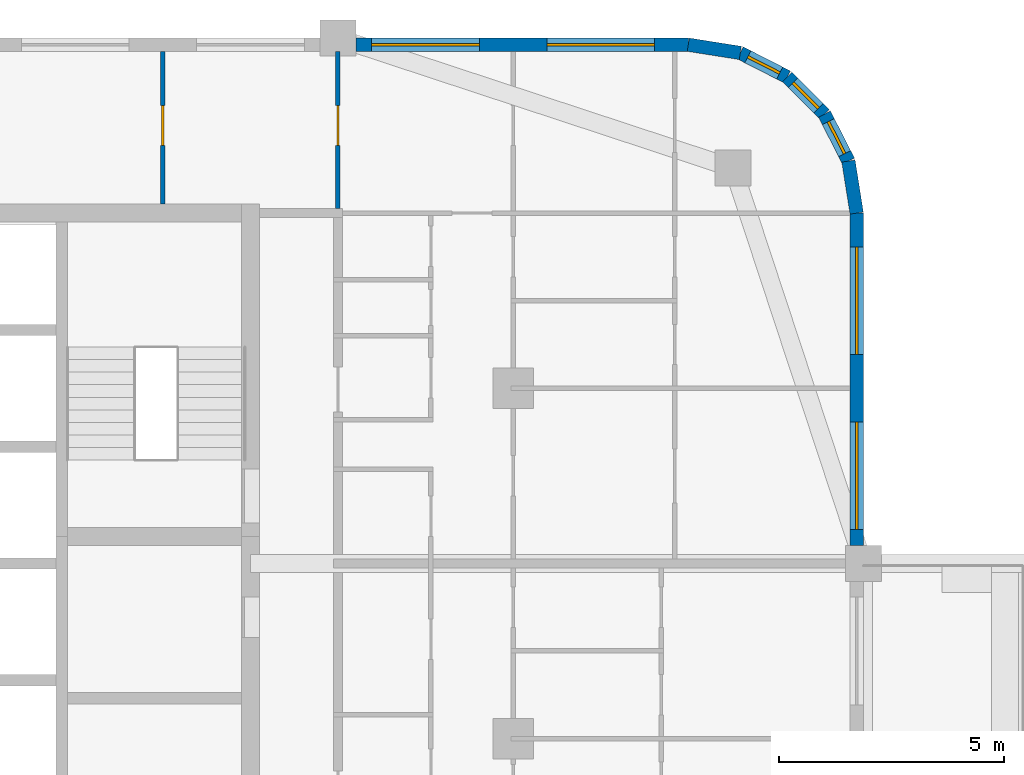
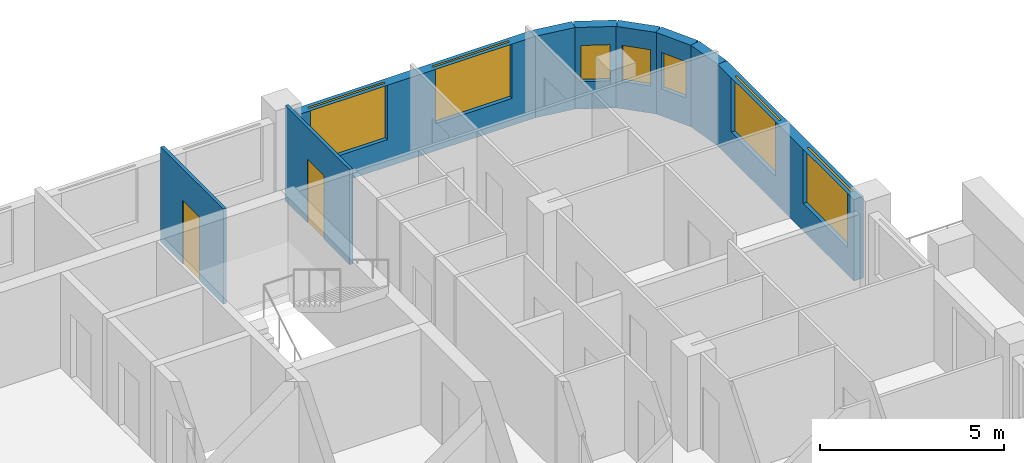
# One storey, part 12 of 16: 9 walls, 7 windows, 2 doors, 9 openings.
"""IFC4 building model written with IfcOpenShell, lengths in metres."""

from ifc_helpers import new_model, si_unit, direction, frame, frame_2d, origin, place, context, subcontext, project, spatial, rectangle, extrude, material, layer, layer_set, type_object, element, fill, save


model = new_model("IFC4")

# Units and contexts
model_context = context("Model", 3, precision=1e-05, world=origin(), true_north=direction((0.0, 1.0)))
body_context = subcontext(model_context, "Body", "Model", "MODEL_VIEW")
ifc_project = project(units=[si_unit("LENGTHUNIT", "METRE"), si_unit("AREAUNIT", "SQUARE_METRE"), si_unit("VOLUMEUNIT", "CUBIC_METRE"), si_unit("PLANEANGLEUNIT", "RADIAN"), si_unit("MASSUNIT", "GRAM", prefix="KILO")], contexts=[model_context])

# Site, building, storey
site_placement = place(None, origin())
site = spatial("IfcSite", under=ifc_project, at=site_placement, CompositionType="ELEMENT")
building_placement = place(site_placement, origin())
building = spatial("IfcBuilding", under=site, at=building_placement, Name="Ludao Terraces", CompositionType="ELEMENT")
storey_placement = place(building_placement, frame((0.0, 0.0, 217.699951171875)))
storey = spatial("IfcBuildingStorey", under=building, at=storey_placement, Name="L59", CompositionType="ELEMENT", Elevation=217.699951171875)

# Wall, openings, windows
ifc_material_1 = material(Name="Granite cladding", Category="masonry")
ifc_layer_1 = layer(ifc_material_1, 0.0400390625, Category="stone")
ifc_material_2 = material(Name="Mineral wool")
ifc_layer_2 = layer(ifc_material_2, 0.06005859375)
ifc_material_3 = material(Name="Concrete C40", Category="concrete")
ifc_layer_3 = layer(ifc_material_3, 0.199951171875, Category="concrete")
ifc_layer_set_1 = layer_set([ifc_layer_1, ifc_layer_2, ifc_layer_3], Name="ENV Stone-clad wall 300")
wall_type_1 = type_object("IfcWallType", Name="ENV Stone-clad wall 300", PredefinedType="SOLIDWALL", material=ifc_layer_set_1)
wall_1_placement = place(storey_placement, frame((108.25, 77.10009765625, 0.0), z_axis=(0.0, 0.0, 1.0), x_axis=(0.0, 1.0, 0.0)))
wall_1 = element("IfcWall", 1, at=wall_1_placement, inside=storey, type_object=wall_type_1, Name="EW-L59-E5", PredefinedType="SOLIDWALL", context=body_context, shape_type="SweptSolid", body=[
    extrude(rectangle(XDim=7.39990234375, YDim=0.300048828125, at=frame_2d((3.699951171875, 0.0))), origin(), (0.0, 0.0, 1.0), 2.699951171875),
])
opening_1_placement = place(wall_1_placement, frame((0.35009765625, 0.0, 0.89990234375)))
opening_1 = element("IfcOpeningElement", 2, at=opening_1_placement, cuts=wall_1, Name="Opening W1", PredefinedType="OPENING", context=body_context, shape_type="SweptSolid", body=[
    extrude(rectangle(XDim=2.39990234375, YDim=1.800048828125, at=frame_2d((1.199951171875, 0.89990234375))), frame((0.0, 0.16015625, 0.0), z_axis=(0.0, -1.0, 0.0), x_axis=(1.0, 0.0, 0.0)), (0.0, 0.0, 1.0), 0.320068359375),
])
opening_2_placement = place(wall_1_placement, frame((4.25, 0.0, 0.89990234375)))
opening_2 = element("IfcOpeningElement", 3, at=opening_2_placement, cuts=wall_1, Name="Opening W1", PredefinedType="OPENING", context=body_context, shape_type="SweptSolid", body=[
    extrude(rectangle(XDim=2.39990234375, YDim=1.800048828125, at=frame_2d((1.199951171875, 0.89990234375))), frame((0.0, 0.16015625, 0.0), z_axis=(0.0, -1.0, 0.0), x_axis=(1.0, 0.0, 0.0)), (0.0, 0.0, 1.0), 0.320068359375),
])
ifc_material_4 = material(Name="Clear glass in aluminium frame", Category="aluminium")
ifc_layer_4 = layer(ifc_material_4, 0.06005859375)
ifc_layer_set_2 = layer_set([ifc_layer_4], Name="ENV Window W1 2400x1800")
window_type_1 = type_object("IfcWindowType", Name="ENV Window W1 2400x1800", PartitioningType="DOUBLE_PANEL_VERTICAL", PredefinedType="WINDOW", material=ifc_layer_set_2)
window_1_placement = place(opening_1_placement, origin())
window_1 = element("IfcWindow", 4, at=window_1_placement, inside=storey, type_object=window_type_1, Name="W-L59-E5-1", OverallHeight=1.800048828125, OverallWidth=2.39990234375, PartitioningType="DOUBLE_PANEL_VERTICAL", PredefinedType="WINDOW", context=body_context, shape_type="SweptSolid", body=[
    extrude(rectangle(XDim=2.39990234375, YDim=1.800048828125, at=frame_2d((1.199951171875, 0.89990234375))), frame((0.0, 0.030029296875, 0.0), z_axis=(0.0, -1.0, 0.0), x_axis=(1.0, 0.0, 0.0)), (0.0, 0.0, 1.0), 0.06005859375),
])
fill(opening_1, window_1)
window_2_placement = place(opening_2_placement, origin())
window_2 = element("IfcWindow", 5, at=window_2_placement, inside=storey, type_object=window_type_1, Name="W-L59-E5-2", OverallHeight=1.800048828125, OverallWidth=2.39990234375, PartitioningType="DOUBLE_PANEL_VERTICAL", PredefinedType="WINDOW", context=body_context, shape_type="SweptSolid", body=[
    extrude(rectangle(XDim=2.39990234375, YDim=1.800048828125, at=frame_2d((1.199951171875, 0.89990234375))), frame((0.0, 0.030029296875, 0.0), z_axis=(0.0, -1.0, 0.0), x_axis=(1.0, 0.0, 0.0)), (0.0, 0.0, 1.0), 0.06005859375),
])
fill(opening_2, window_2)

wall_2_placement = place(storey_placement, frame((97.10009765625, 88.25, 0.0), z_axis=(0.0, 0.0, 1.0), x_axis=(1.0, 0.0, 0.0)))
wall_2 = element("IfcWall", 6, at=wall_2_placement, inside=storey, type_object=wall_type_1, Name="EW-L59-N3", PredefinedType="SOLIDWALL", context=body_context, shape_type="SweptSolid", body=[
    extrude(rectangle(XDim=7.39990234375, YDim=0.300048828125, at=frame_2d((3.699951171875, 0.0))), origin(), (0.0, 0.0, 1.0), 2.699951171875),
])
opening_3_placement = place(wall_2_placement, frame((0.35009765625, 0.0, 0.89990234375)))
opening_3 = element("IfcOpeningElement", 7, at=opening_3_placement, cuts=wall_2, Name="Opening W1", PredefinedType="OPENING", context=body_context, shape_type="SweptSolid", body=[
    extrude(rectangle(XDim=2.39990234375, YDim=1.800048828125, at=frame_2d((1.199951171875, 0.89990234375))), frame((0.0, 0.16015625, 0.0), z_axis=(0.0, -1.0, 0.0), x_axis=(1.0, 0.0, 0.0)), (0.0, 0.0, 1.0), 0.320068359375),
])
opening_4_placement = place(wall_2_placement, frame((4.25, 0.0, 0.89990234375)))
opening_4 = element("IfcOpeningElement", 8, at=opening_4_placement, cuts=wall_2, Name="Opening W1", PredefinedType="OPENING", context=body_context, shape_type="SweptSolid", body=[
    extrude(rectangle(XDim=2.39990234375, YDim=1.800048828125, at=frame_2d((1.199951171875, 0.89990234375))), frame((0.0, 0.16015625, 0.0), z_axis=(0.0, -1.0, 0.0), x_axis=(1.0, 0.0, 0.0)), (0.0, 0.0, 1.0), 0.320068359375),
])
window_3_placement = place(opening_3_placement, origin())
window_3 = element("IfcWindow", 9, at=window_3_placement, inside=storey, type_object=window_type_1, Name="W-L59-N3-1", OverallHeight=1.800048828125, OverallWidth=2.39990234375, PartitioningType="DOUBLE_PANEL_VERTICAL", PredefinedType="WINDOW", context=body_context, shape_type="SweptSolid", body=[
    extrude(rectangle(XDim=2.39990234375, YDim=1.800048828125, at=frame_2d((1.199951171875, 0.89990234375))), frame((0.0, 0.030029296875, 0.0), z_axis=(0.0, -1.0, 0.0), x_axis=(1.0, 0.0, 0.0)), (0.0, 0.0, 1.0), 0.06005859375),
])
fill(opening_3, window_3)
window_4_placement = place(opening_4_placement, origin())
window_4 = element("IfcWindow", 10, at=window_4_placement, inside=storey, type_object=window_type_1, Name="W-L59-N3-2", OverallHeight=1.800048828125, OverallWidth=2.39990234375, PartitioningType="DOUBLE_PANEL_VERTICAL", PredefinedType="WINDOW", context=body_context, shape_type="SweptSolid", body=[
    extrude(rectangle(XDim=2.39990234375, YDim=1.800048828125, at=frame_2d((1.199951171875, 0.89990234375))), frame((0.0, 0.030029296875, 0.0), z_axis=(0.0, -1.0, 0.0), x_axis=(1.0, 0.0, 0.0)), (0.0, 0.0, 1.0), 0.06005859375),
])
fill(opening_4, window_4)

# Wall
wall_3_placement = place(storey_placement, frame((108.25, 84.5, 0.0), z_axis=(0.0, 0.0, 1.0), x_axis=(-0.156496880861, 0.987678452879, 0.0)))
element("IfcWall", 11, at=wall_3_placement, inside=storey, type_object=wall_type_1, Name="EW-L59-NE1", PredefinedType="SOLIDWALL", context=body_context, shape_type="SweptSolid", body=[
    extrude(rectangle(XDim=1.173095703125, YDim=0.300048828125, at=frame_2d((0.58642578125, 0.0))), origin(), (0.0, 0.0, 1.0), 2.699951171875),
])

# Wall, opening, window
wall_4_placement = place(storey_placement, frame((108.06640625, 85.65869140625, 0.0), z_axis=(0.0, 0.0, 1.0), x_axis=(-0.454025524128, 0.890988677504, 0.0)))
wall_4 = element("IfcWall", 12, at=wall_4_placement, inside=storey, type_object=wall_type_1, Name="EW-L59-NE2", PredefinedType="SOLIDWALL", context=body_context, shape_type="SweptSolid", body=[
    extrude(rectangle(XDim=1.17333984375, YDim=0.300048828125, at=frame_2d((0.586669921875, 0.0))), origin(), (0.0, 0.0, 1.0), 2.699951171875),
])
opening_5_placement = place(wall_4_placement, frame((0.1865234375, 0.0, 0.89990234375)))
opening_5 = element("IfcOpeningElement", 13, at=opening_5_placement, cuts=wall_4, Name="Opening W3", PredefinedType="OPENING", context=body_context, shape_type="SweptSolid", body=[
    extrude(rectangle(XDim=0.800048828125, YDim=1.199951171875, at=frame_2d((0.39990234375, 0.60009765625))), frame((0.0, 0.16015625, 0.0), z_axis=(0.0, -1.0, 0.0), x_axis=(1.0, 0.0, 0.0)), (0.0, 0.0, 1.0), 0.320068359375),
])
ifc_layer_5 = layer(ifc_material_4, 0.06005859375)
ifc_layer_set_3 = layer_set([ifc_layer_5], Name="ENV Window W3 800x1200")
window_type_2 = type_object("IfcWindowType", Name="ENV Window W3 800x1200", PartitioningType="SINGLE_PANEL", PredefinedType="WINDOW", material=ifc_layer_set_3)
window_5_placement = place(opening_5_placement, origin())
window_5 = element("IfcWindow", 14, at=window_5_placement, inside=storey, type_object=window_type_2, Name="W-L59-NE2", OverallHeight=1.199951171875, OverallWidth=0.800048828125, PartitioningType="SINGLE_PANEL", PredefinedType="WINDOW", context=body_context, shape_type="SweptSolid", body=[
    extrude(rectangle(XDim=0.800048828125, YDim=1.199951171875, at=frame_2d((0.39990234375, 0.60009765625))), frame((0.0, 0.030029296875, 0.0), z_axis=(0.0, -1.0, 0.0), x_axis=(1.0, 0.0, 0.0)), (0.0, 0.0, 1.0), 0.06005859375),
])
fill(opening_5, window_5)

wall_5_placement = place(storey_placement, frame((107.53369140625, 86.7041015625, 0.0), z_axis=(0.0, 0.0, 1.0), x_axis=(-0.707106781187, 0.707106781187, 0.0)))
wall_5 = element("IfcWall", 15, at=wall_5_placement, inside=storey, type_object=wall_type_1, Name="EW-L59-NE3", PredefinedType="SOLIDWALL", context=body_context, shape_type="SweptSolid", body=[
    extrude(rectangle(XDim=1.173095703125, YDim=0.300048828125, at=frame_2d((0.58642578125, 0.0))), origin(), (0.0, 0.0, 1.0), 2.699951171875),
])
opening_6_placement = place(wall_5_placement, frame((0.1865234375, 0.0, 0.89990234375)))
opening_6 = element("IfcOpeningElement", 16, at=opening_6_placement, cuts=wall_5, Name="Opening W3", PredefinedType="OPENING", context=body_context, shape_type="SweptSolid", body=[
    extrude(rectangle(XDim=0.800048828125, YDim=1.199951171875, at=frame_2d((0.39990234375, 0.60009765625))), frame((0.0, 0.16015625, 0.0), z_axis=(0.0, -1.0, 0.0), x_axis=(1.0, 0.0, 0.0)), (0.0, 0.0, 1.0), 0.320068359375),
])
window_6_placement = place(opening_6_placement, origin())
window_6 = element("IfcWindow", 17, at=window_6_placement, inside=storey, type_object=window_type_2, Name="W-L59-NE3", OverallHeight=1.199951171875, OverallWidth=0.800048828125, PartitioningType="SINGLE_PANEL", PredefinedType="WINDOW", context=body_context, shape_type="SweptSolid", body=[
    extrude(rectangle(XDim=0.800048828125, YDim=1.199951171875, at=frame_2d((0.39990234375, 0.60009765625))), frame((0.0, 0.030029296875, 0.0), z_axis=(0.0, -1.0, 0.0), x_axis=(1.0, 0.0, 0.0)), (0.0, 0.0, 1.0), 0.06005859375),
])
fill(opening_6, window_6)

wall_6_placement = place(storey_placement, frame((106.7041015625, 87.53369140625, 0.0), z_axis=(0.0, 0.0, 1.0), x_axis=(-0.890988677504, 0.454025524128, 0.0)))
wall_6 = element("IfcWall", 18, at=wall_6_placement, inside=storey, type_object=wall_type_1, Name="EW-L59-NE4", PredefinedType="SOLIDWALL", context=body_context, shape_type="SweptSolid", body=[
    extrude(rectangle(XDim=1.17333984375, YDim=0.300048828125, at=frame_2d((0.586669921875, 0.0))), origin(), (0.0, 0.0, 1.0), 2.699951171875),
])
opening_7_placement = place(wall_6_placement, frame((0.1865234375, 0.0, 0.89990234375)))
opening_7 = element("IfcOpeningElement", 19, at=opening_7_placement, cuts=wall_6, Name="Opening W3", PredefinedType="OPENING", context=body_context, shape_type="SweptSolid", body=[
    extrude(rectangle(XDim=0.800048828125, YDim=1.199951171875, at=frame_2d((0.39990234375, 0.60009765625))), frame((0.0, 0.16015625, 0.0), z_axis=(0.0, -1.0, 0.0), x_axis=(1.0, 0.0, 0.0)), (0.0, 0.0, 1.0), 0.320068359375),
])
window_7_placement = place(opening_7_placement, origin())
window_7 = element("IfcWindow", 20, at=window_7_placement, inside=storey, type_object=window_type_2, Name="W-L59-NE4", OverallHeight=1.199951171875, OverallWidth=0.800048828125, PartitioningType="SINGLE_PANEL", PredefinedType="WINDOW", context=body_context, shape_type="SweptSolid", body=[
    extrude(rectangle(XDim=0.800048828125, YDim=1.199951171875, at=frame_2d((0.39990234375, 0.60009765625))), frame((0.0, 0.030029296875, 0.0), z_axis=(0.0, -1.0, 0.0), x_axis=(1.0, 0.0, 0.0)), (0.0, 0.0, 1.0), 0.06005859375),
])
fill(opening_7, window_7)

# Wall
wall_7_placement = place(storey_placement, frame((105.65869140625, 88.06640625, 0.0), z_axis=(0.0, 0.0, 1.0), x_axis=(-0.987678452879, 0.156496880861, 0.0)))
element("IfcWall", 21, at=wall_7_placement, inside=storey, type_object=wall_type_1, Name="EW-L59-NE5", PredefinedType="SOLIDWALL", context=body_context, shape_type="SweptSolid", body=[
    extrude(rectangle(XDim=1.173095703125, YDim=0.300048828125, at=frame_2d((0.58642578125, 0.0))), origin(), (0.0, 0.0, 1.0), 2.699951171875),
])

# Wall, opening, door
ifc_material_5 = material(Name="Gypsum plasterboard", Category="gypsum")
ifc_layer_6 = layer(ifc_material_5, 0.012451171875, Category="gypsum")
ifc_layer_7 = layer(ifc_material_2, 0.06005859375, Name="insulation")
ifc_material_6 = material(Name="Steel Q235", Category="steel")
ifc_layer_8 = layer(ifc_material_6, 0.014892578125, Name="stud")
ifc_layer_9 = layer(ifc_material_5, 0.012451171875, Category="gypsum")
ifc_layer_set_4 = layer_set([ifc_layer_6, ifc_layer_7, ifc_layer_8, ifc_layer_9], Name="INT Partition 100")
wall_type_2 = type_object("IfcWallType", Name="INT Partition 100", PredefinedType="PARTITIONING", material=ifc_layer_set_4)
wall_8_placement = place(storey_placement, frame((92.800048828125, 84.7001953125, 0.0), z_axis=(0.0, 0.0, 1.0), x_axis=(0.0, 1.0, 0.0)))
wall_8 = element("IfcWall", 22, at=wall_8_placement, inside=storey, type_object=wall_type_2, Name="PW-L59-PW088", PredefinedType="PARTITIONING", context=body_context, shape_type="SweptSolid", body=[
    extrude(rectangle(XDim=3.39990234375, YDim=0.10009765625, at=frame_2d((1.699951171875, 0.0))), origin(), (0.0, 0.0, 1.0), 3.150146484375),
])
opening_8_placement = place(wall_8_placement, frame((1.2998046875, 0.0, 0.0)))
opening_8 = element("IfcOpeningElement", 23, at=opening_8_placement, cuts=wall_8, Name="Opening R21-141", PredefinedType="OPENING", context=body_context, shape_type="SweptSolid", body=[
    extrude(rectangle(XDim=0.89990234375, YDim=2.10009765625, at=frame_2d((0.449951171875, 1.050048828125))), frame((0.0, 0.06005859375, 0.0), z_axis=(0.0, -1.0, 0.0), x_axis=(1.0, 0.0, 0.0)), (0.0, 0.0, 1.0), 0.1201171875),
])
ifc_material_7 = material(Name="Timber door leaf", Category="wood")
door_type = type_object("IfcDoorType", Name="INT Room door 900", OperationType="SINGLE_SWING_LEFT", PredefinedType="DOOR", material=ifc_material_7)
door_1_placement = place(opening_8_placement, origin())
door_1 = element("IfcDoor", 24, at=door_1_placement, inside=storey, type_object=door_type, Name="DOOR 141", OperationType="SINGLE_SWING_RIGHT", OverallHeight=2.10009765625, OverallWidth=0.89990234375, PredefinedType="DOOR", context=body_context, shape_type="SweptSolid", body=[
    extrude(rectangle(XDim=0.89990234375, YDim=2.10009765625, at=frame_2d((0.449951171875, 1.050048828125))), frame((0.0, 0.02490234375, 0.0), z_axis=(0.0, -1.0, 0.0), x_axis=(1.0, 0.0, 0.0)), (0.0, 0.0, 1.0), 0.050048828125),
])
fill(opening_8, door_1)

wall_9_placement = place(storey_placement, frame((96.699951171875, 84.60009765625, 0.0), z_axis=(0.0, 0.0, 1.0), x_axis=(0.0, 1.0, 0.0)))
wall_9 = element("IfcWall", 25, at=wall_9_placement, inside=storey, type_object=wall_type_2, Name="PW-L59-PW091", PredefinedType="PARTITIONING", context=body_context, shape_type="SweptSolid", body=[
    extrude(rectangle(XDim=3.5, YDim=0.10009765625, at=frame_2d((1.75, 0.0))), origin(), (0.0, 0.0, 1.0), 3.150146484375),
])
opening_9_placement = place(wall_9_placement, frame((1.39990234375, 0.0, 0.0)))
opening_9 = element("IfcOpeningElement", 26, at=opening_9_placement, cuts=wall_9, Name="Opening R21-142", PredefinedType="OPENING", context=body_context, shape_type="SweptSolid", body=[
    extrude(rectangle(XDim=0.89990234375, YDim=2.10009765625, at=frame_2d((0.449951171875, 1.050048828125))), frame((0.0, 0.06005859375, 0.0), z_axis=(0.0, -1.0, 0.0), x_axis=(1.0, 0.0, 0.0)), (0.0, 0.0, 1.0), 0.1201171875),
])
door_2_placement = place(opening_9_placement, origin())
door_2 = element("IfcDoor", 27, at=door_2_placement, inside=storey, type_object=door_type, Name="DOOR 142", OperationType="SINGLE_SWING_RIGHT", OverallHeight=2.10009765625, OverallWidth=0.89990234375, PredefinedType="DOOR", context=body_context, shape_type="SweptSolid", body=[
    extrude(rectangle(XDim=0.89990234375, YDim=2.10009765625, at=frame_2d((0.449951171875, 1.050048828125))), frame((0.0, 0.02490234375, 0.0), z_axis=(0.0, -1.0, 0.0), x_axis=(1.0, 0.0, 0.0)), (0.0, 0.0, 1.0), 0.050048828125),
])
fill(opening_9, door_2)

save(model, "model.ifc")
